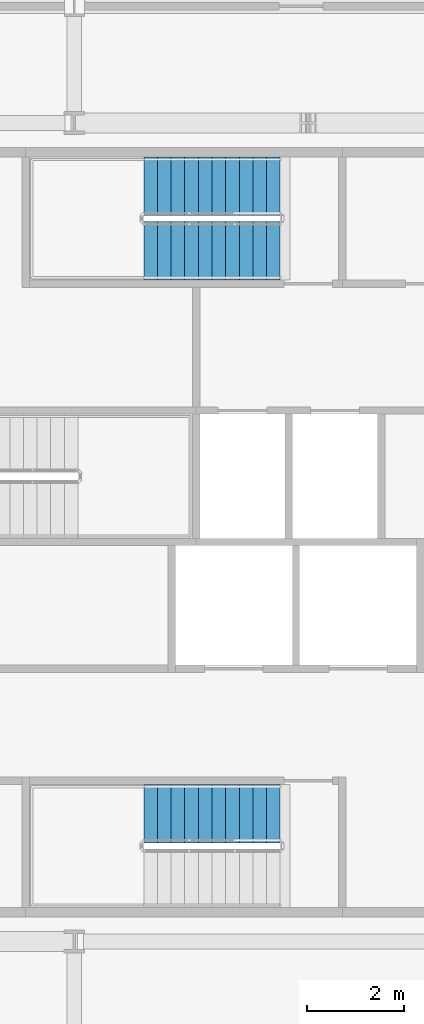
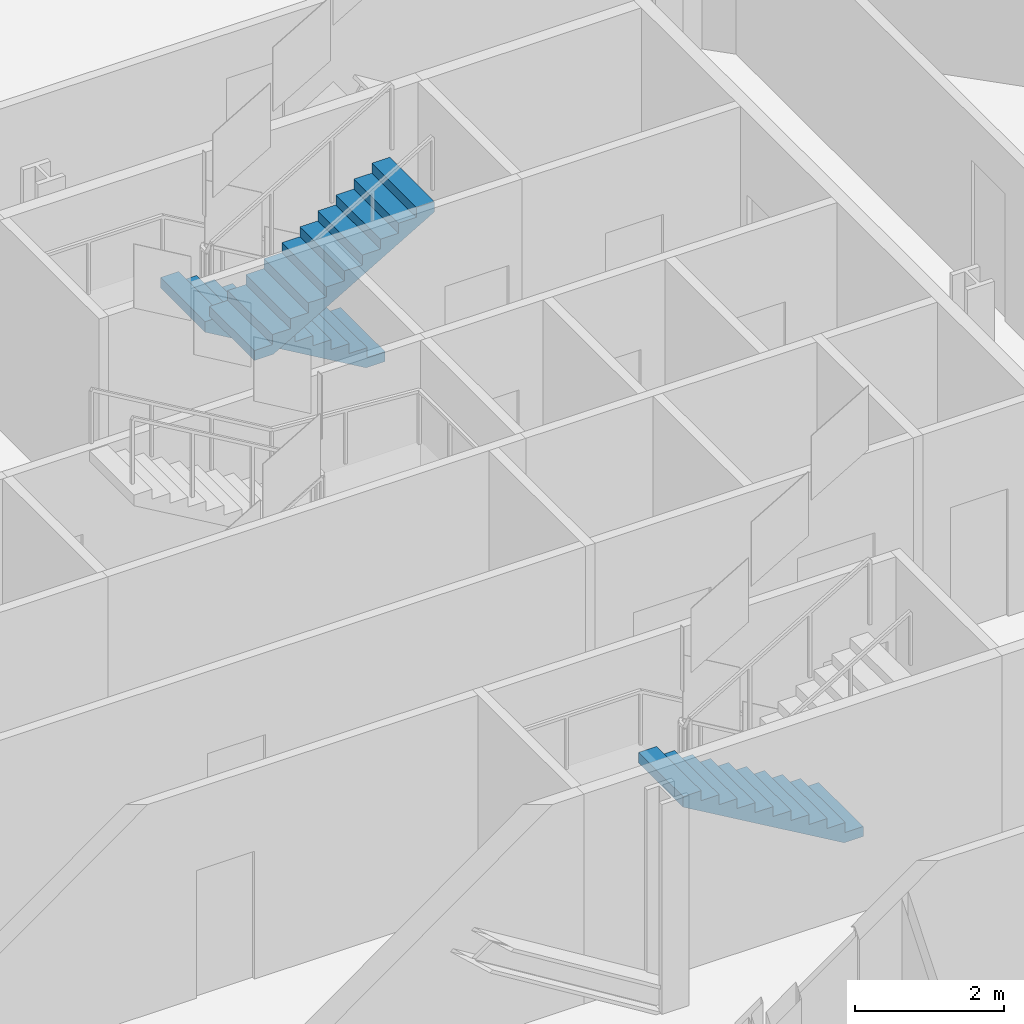
# One storey, part 14 of 21: 3 stair flights, 2 elements without a shape of their own.
"""IFC4 building model written with IfcOpenShell, lengths in metres."""

from ifc_helpers import new_model, si_unit, direction, frame, origin, place, context, subcontext, project, spatial, polyline, outline, extrude, material, type_object, element, aggregate, save


model = new_model("IFC4")

# Units and contexts
model_context = context("Model", 3, precision=1e-05, world=origin(), true_north=direction((0.0, 1.0)))
body_context = subcontext(model_context, "Body", "Model", "MODEL_VIEW")
ifc_project = project(units=[si_unit("LENGTHUNIT", "METRE"), si_unit("AREAUNIT", "SQUARE_METRE"), si_unit("VOLUMEUNIT", "CUBIC_METRE"), si_unit("PLANEANGLEUNIT", "RADIAN"), si_unit("MASSUNIT", "GRAM", prefix="KILO")], contexts=[model_context])

# Site, building, storey
site_placement = place(None, origin())
site = spatial("IfcSite", under=ifc_project, at=site_placement, CompositionType="ELEMENT")
building_placement = place(site_placement, origin())
building = spatial("IfcBuilding", under=site, at=building_placement, Name="Cairn Pilgrim Tower", CompositionType="ELEMENT")
storey_placement = place(building_placement, frame((0.0, 0.0, 132.60009765625)))
storey = spatial("IfcBuildingStorey", under=building, at=storey_placement, Name="L32", CompositionType="ELEMENT", Elevation=132.60009765625)

# Stair, stair flight
ifc_material = material(Name="Concrete C32/40", Category="concrete")
stair_type = type_object("IfcStairType", Name="EXIT STAIR 1200", PredefinedType="HALF_TURN_STAIR", material=ifc_material)
stair_1_placement = place(storey_placement, origin())
stair_1 = element("IfcStair", 1, at=stair_1_placement, inside=storey, type_object=stair_type, Name="L32 Exit Stair A", PredefinedType="HALF_TURN_STAIR")
stair_flight_type = type_object("IfcStairFlightType", Name="STAIR FLIGHT 1200", PredefinedType="STRAIGHT", material=ifc_material)
stair_flight_1_placement = place(storey_placement, frame((11.425048828125, -3.375, 0.0), z_axis=(0.0, 0.0, 1.0), x_axis=(-1.0, 0.0, 0.0)))
stair_flight_1 = element("IfcStairFlight", 2, at=stair_flight_1_placement, type_object=stair_flight_type, Name="ST-A flight 1", NumberOfRisers=11, NumberOfTreads=10, PredefinedType="STRAIGHT", RiserHeight=0.163636364, TreadLength=0.28, context=body_context, shape_type="SweptSolid", body=[
    extrude(outline(polyline([(0.0, 0.0), (0.0, 0.16357421875), (0.280029296875, 0.16357421875), (0.280029296875, 0.327392578125), (0.56005859375, 0.327392578125), (0.56005859375, 0.490966796875), (0.840087890625, 0.490966796875), (0.840087890625, 0.654541015625), (1.1201171875, 0.654541015625), (1.1201171875, 0.818115234375), (1.39990234375, 0.818115234375), (1.39990234375, 0.98193359375), (1.679931640625, 0.98193359375), (1.679931640625, 1.1455078125), (1.9599609375, 1.1455078125), (1.9599609375, 1.30908203125), (2.239990234375, 1.30908203125), (2.239990234375, 1.47265625), (2.52001953125, 1.47265625), (2.52001953125, 1.636474609375), (2.800048828125, 1.636474609375), (2.800048828125, 1.800048828125), (2.800048828125, 1.462646484375), (0.297119140625, 0.0), (0.0, 0.0)])), frame((0.0, 0.60009765625, 0.0), z_axis=(0.0, -1.0, 0.0), x_axis=(1.0, 0.0, 0.0)), (0.0, 0.0, 1.0), 1.199951171875),
])
aggregate(stair_1, [stair_flight_1])

# Stair, stair flights
stair_2_placement = place(storey_placement, origin())
stair_2 = element("IfcStair", 3, at=stair_2_placement, inside=storey, type_object=stair_type, Name="L32 Exit Stair C", PredefinedType="HALF_TURN_STAIR")
stair_flight_2_placement = place(storey_placement, frame((11.425048828125, 9.5, 0.0), z_axis=(0.0, 0.0, 1.0), x_axis=(-1.0, 0.0, 0.0)))
stair_flight_2 = element("IfcStairFlight", 4, at=stair_flight_2_placement, type_object=stair_flight_type, Name="ST-C flight 1", NumberOfRisers=11, NumberOfTreads=10, PredefinedType="STRAIGHT", RiserHeight=0.163636364, TreadLength=0.28, context=body_context, shape_type="SweptSolid", body=[
    extrude(outline(polyline([(0.0, 0.0), (0.0, 0.16357421875), (0.280029296875, 0.16357421875), (0.280029296875, 0.327392578125), (0.56005859375, 0.327392578125), (0.56005859375, 0.490966796875), (0.840087890625, 0.490966796875), (0.840087890625, 0.654541015625), (1.1201171875, 0.654541015625), (1.1201171875, 0.818115234375), (1.39990234375, 0.818115234375), (1.39990234375, 0.98193359375), (1.679931640625, 0.98193359375), (1.679931640625, 1.1455078125), (1.9599609375, 1.1455078125), (1.9599609375, 1.30908203125), (2.239990234375, 1.30908203125), (2.239990234375, 1.47265625), (2.52001953125, 1.47265625), (2.52001953125, 1.636474609375), (2.800048828125, 1.636474609375), (2.800048828125, 1.800048828125), (2.800048828125, 1.462646484375), (0.297119140625, 0.0), (0.0, 0.0)])), frame((0.0, 0.60009765625, 0.0), z_axis=(0.0, -1.0, 0.0), x_axis=(1.0, 0.0, 0.0)), (0.0, 0.0, 1.0), 1.199951171875),
])
stair_flight_3_placement = place(storey_placement, frame((8.625, 8.175048828125, 1.7998046875), z_axis=(0.0, 0.0, 1.0), x_axis=(1.0, 0.0, 0.0)))
stair_flight_3 = element("IfcStairFlight", 5, at=stair_flight_3_placement, type_object=stair_flight_type, Name="ST-C flight 2", NumberOfRisers=11, NumberOfTreads=10, PredefinedType="STRAIGHT", RiserHeight=0.163636364, TreadLength=0.28, context=body_context, shape_type="SweptSolid", body=[
    extrude(outline(polyline([(0.0, 0.0), (0.0, 0.16357421875), (0.280029296875, 0.16357421875), (0.280029296875, 0.327392578125), (0.56005859375, 0.327392578125), (0.56005859375, 0.490966796875), (0.840087890625, 0.490966796875), (0.840087890625, 0.654541015625), (1.1201171875, 0.654541015625), (1.1201171875, 0.818115234375), (1.39990234375, 0.818115234375), (1.39990234375, 0.98193359375), (1.679931640625, 0.98193359375), (1.679931640625, 1.1455078125), (1.9599609375, 1.1455078125), (1.9599609375, 1.30908203125), (2.239990234375, 1.30908203125), (2.239990234375, 1.47265625), (2.52001953125, 1.47265625), (2.52001953125, 1.636474609375), (2.800048828125, 1.636474609375), (2.800048828125, 1.800048828125), (2.800048828125, 1.462646484375), (0.297119140625, 0.0), (0.0, 0.0)])), frame((0.0, 0.60009765625, 0.0), z_axis=(0.0, -1.0, 0.0), x_axis=(1.0, 0.0, 0.0)), (0.0, 0.0, 1.0), 1.199951171875),
])
aggregate(stair_2, [stair_flight_2, stair_flight_3])

save(model, "model.ifc")
